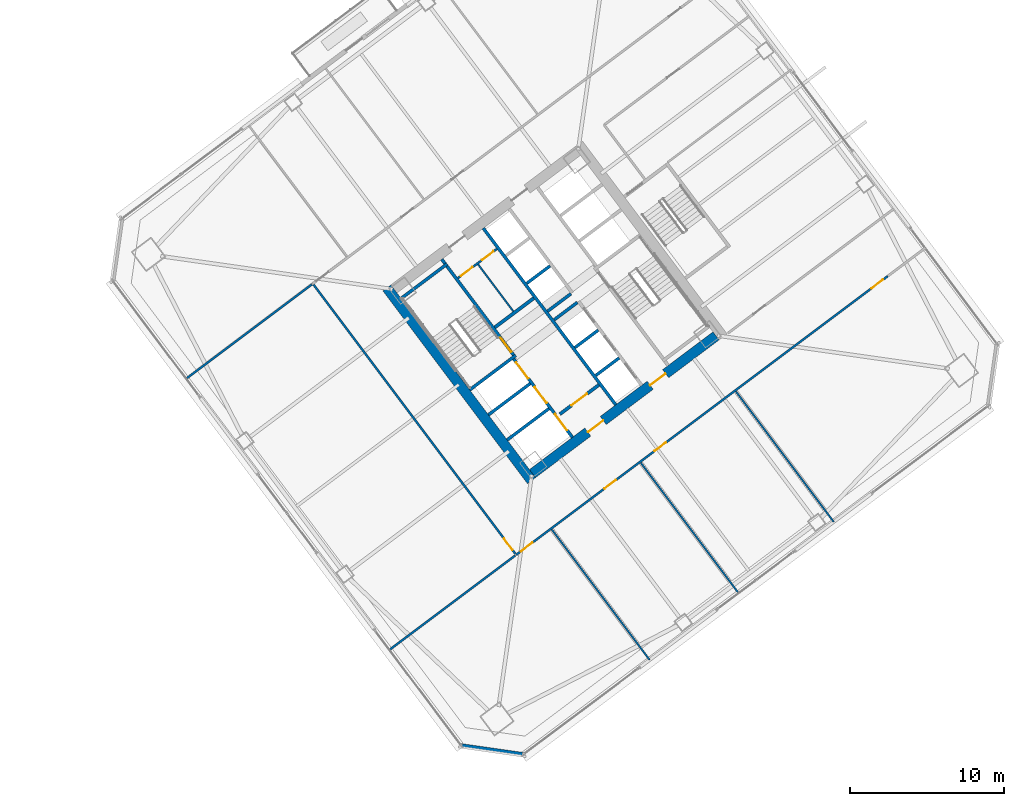
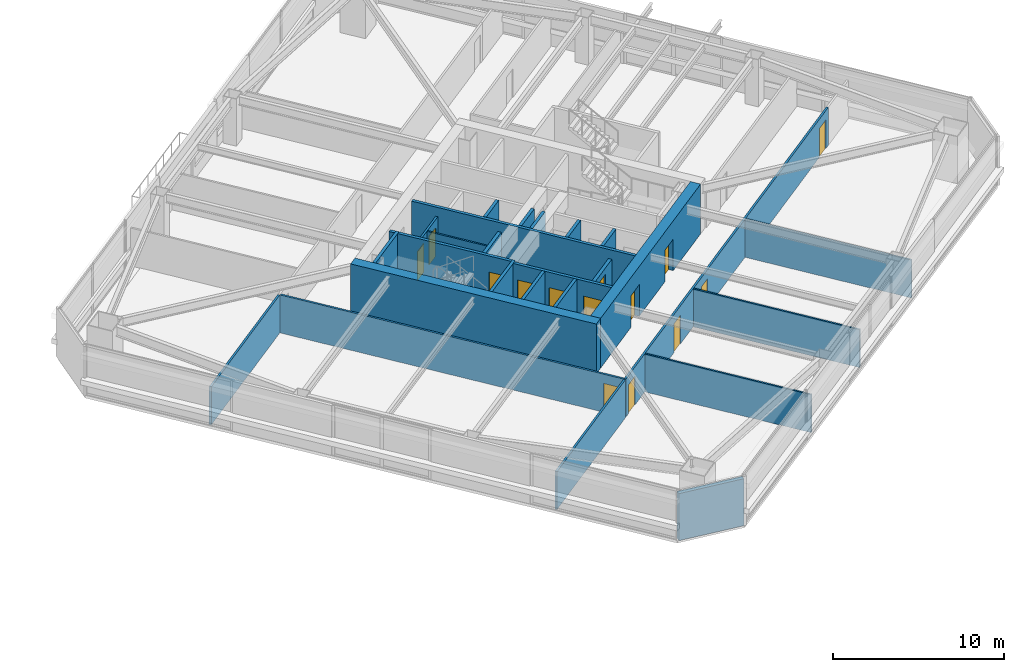
# One storey, part 36 of 46: 26 walls, 14 doors, 14 openings.
"""IFC4 building model written with IfcOpenShell, lengths in metres."""

import ifcopenshell
import ifcopenshell.guid

model = None  # the IFC model being written
_history = None  # IfcOwnerHistory: only IFC2X3 demands one
_inside = {}  # id of a spatial element -> (the spatial element, [elements in it])
_under = {}  # id of a project, library or spatial element -> (it, [spatial elements below it])
_declared = {}  # id of a project -> (the project, [libraries it declares])
_typed = {}  # id of a type object -> (the type object, [elements of that type])
_made_of = {}  # id of a material, layer set ... -> (it, [elements and type objects made of it])


def new_model(schema):
    """Start an empty IFC model of exactly this schema.

    Asked for "IFC4X3", IfcOpenShell would pick the latest addendum, in which some entities
    have other attributes; the version numbers below select the first issue.
    IFC2X3 requires an IfcOwnerHistory on every rooted entity: one is made here for all.
    """
    global model, _history
    if schema == "IFC4X3":
        model = ifcopenshell.file(schema_version=(4, 3, 0, 0))
    else:
        model = ifcopenshell.file(schema=schema)
    _inside.clear()
    _under.clear()
    _declared.clear()
    _typed.clear()
    _made_of.clear()
    _history = None
    if model.schema == "IFC2X3":
        org = make("IfcOrganization", Name="unknown")
        user = make(
            "IfcPersonAndOrganization",
            ThePerson=make("IfcPerson", FamilyName="unknown"),
            TheOrganization=org,
        )
        app = make(
            "IfcApplication",
            ApplicationDeveloper=org,
            Version="unknown",
            ApplicationFullName="unknown",
            ApplicationIdentifier="unknown",
        )
        _history = make(
            "IfcOwnerHistory",
            OwningUser=user,
            OwningApplication=app,
            ChangeAction="ADDED",
            CreationDate=0,
        )
    return model


def make(cls, **values):
    """One entity of the class cls with the attributes given. An attribute that is None is left unset."""
    return model.create_entity(
        cls, **{name: value for name, value in values.items() if value is not None}
    )


def rooted(cls, **values):
    """An entity with a GlobalId (a new one), such as an element, a storey or a relation."""
    return make(cls, GlobalId=ifcopenshell.guid.new(), OwnerHistory=_history, **values)


def si_unit(unit_type, name, prefix=None):
    """IfcSIUnit, for example si_unit("LENGTHUNIT", "METRE", prefix="MILLI")."""
    return make("IfcSIUnit", UnitType=unit_type, Prefix=prefix, Name=name)


def assignment(units):
    """IfcUnitAssignment: the units of a project."""
    return None if units is None else make("IfcUnitAssignment", Units=units)


def point(xyz):
    """IfcCartesianPoint."""
    return None if xyz is None else make("IfcCartesianPoint", Coordinates=xyz)


def direction(xyz):
    """IfcDirection."""
    return None if xyz is None else make("IfcDirection", DirectionRatios=xyz)


def frame(location, z_axis=None, x_axis=None):
    """IfcAxis2Placement3D, a coordinate frame: its origin and axes. An axis left out is left unset."""
    return make(
        "IfcAxis2Placement3D",
        Location=point(location),
        Axis=direction(z_axis),
        RefDirection=direction(x_axis),
    )


def frame_2d(location, x_axis=None):
    """IfcAxis2Placement2D, a coordinate frame in the plane: its origin and x axis."""
    return make(
        "IfcAxis2Placement2D", Location=point(location), RefDirection=direction(x_axis)
    )


def origin():
    """The frame at (0, 0, 0) with its axes left unset."""
    return frame((0.0, 0.0, 0.0))


def place(relative_to, where):
    """IfcLocalPlacement: puts the frame where relative to a parent placement (None: the world)."""
    return make(
        "IfcLocalPlacement", PlacementRelTo=relative_to, RelativePlacement=where
    )


def context(
    kind, dimensions, precision=None, world=None, true_north=None, identifier=None
):
    """IfcGeometricRepresentationContext, for example the 3D "Model" context."""
    return make(
        "IfcGeometricRepresentationContext",
        ContextIdentifier=identifier,
        ContextType=kind,
        CoordinateSpaceDimension=dimensions,
        Precision=precision,
        WorldCoordinateSystem=world,
        TrueNorth=true_north,
    )


def subcontext(parent, identifier, kind, view, scale=None):
    """IfcGeometricRepresentationSubContext, for example "Body" below "Model"."""
    return make(
        "IfcGeometricRepresentationSubContext",
        ContextIdentifier=identifier,
        ContextType=kind,
        ParentContext=parent,
        TargetScale=scale,
        TargetView=view,
    )


def project(units=None, contexts=None):
    """IfcProject with its units and contexts."""
    return rooted(
        "IfcProject",
        Name="project",
        RepresentationContexts=contexts,
        UnitsInContext=assignment(units),
    )


def spatial(cls, under=None, at=None, **own):
    """A site, building, storey or space (cls), placed at a placement, below another one or the project."""
    s = rooted(cls, ObjectPlacement=at, **own)
    if under is not None:
        _under.setdefault(under.id(), (under, []))[1].append(s)
    return s


def profile(cls, at=None, kind="AREA", **sizes):
    """A parametric profile (cls). Its sizes go by their IFC names, for example OverallWidth=200.0."""
    return make(cls, ProfileType=kind, Position=at, **sizes)


def rectangle(**sizes):
    """IfcRectangleProfileDef."""
    return profile("IfcRectangleProfileDef", **sizes)


def extrude(swept, where, along, depth):
    """IfcExtrudedAreaSolid: the profile swept, set in the frame where, extruded along a direction by depth."""
    return make(
        "IfcExtrudedAreaSolid",
        SweptArea=swept,
        Position=where,
        ExtrudedDirection=direction(along),
        Depth=depth,
    )


def shape(context_of_items, identifier, shape_type, items):
    """IfcShapeRepresentation: the items that make up one representation, for example the "Body"."""
    return make(
        "IfcShapeRepresentation",
        ContextOfItems=context_of_items,
        RepresentationIdentifier=identifier,
        RepresentationType=shape_type,
        Items=items,
    )


def material(Name=None, Category=None):
    """IfcMaterial."""
    return make("IfcMaterial", Name=Name, Category=Category)


def layer(
    of_material, thickness, ventilated=None, Name=None, Category=None, Priority=None
):
    """IfcMaterialLayer: one layer of a wall or slab, of a material (None: an air gap)."""
    return make(
        "IfcMaterialLayer",
        Material=of_material,
        LayerThickness=thickness,
        IsVentilated=ventilated,
        Name=Name,
        Category=Category,
        Priority=Priority,
    )


def layer_set(layers, Name=None):
    """IfcMaterialLayerSet."""
    return make("IfcMaterialLayerSet", MaterialLayers=layers, LayerSetName=Name)


def made_of(thing, what):
    """Note that an element or type object is made of a material, layer set ...; save() writes the relation."""
    if what is not None:
        _made_of.setdefault(what.id(), (what, []))[1].append(thing)
    return thing


def type_object(cls, material=None, **own):
    """A type object (cls), such as IfcWallType, which elements share."""
    return made_of(rooted(cls, **own), material)


def element(
    cls,
    number,
    at=None,
    inside=None,
    cuts=None,
    type_object=None,
    material=None,
    context=None,
    identifier="Body",
    shape_type=None,
    held_by="IfcProductDefinitionShape",
    body=None,
    shapes=None,
    **own,
):
    """One element of the class cls, such as IfcWall. Its Tag is "e" and its number.

    at: its placement. inside: the storey or other place that contains it. cuts: it is an
    opening in that element (IfcRelVoidsElement). A single representation is given by context,
    identifier, shape_type and body (its items); several are given by shapes. held_by: the class
    of the entity that holds the representations. save() writes the other relations.
    """
    e = rooted(cls, Tag="e%d" % number, ObjectPlacement=at, **own)
    if body is not None:
        shapes = [shape(context, identifier, shape_type, body)]
    if shapes is not None:
        e.Representation = make(held_by, Representations=shapes)
    if inside is not None:
        _inside.setdefault(inside.id(), (inside, []))[1].append(e)
    if cuts is not None:
        rooted(
            "IfcRelVoidsElement", RelatingBuildingElement=cuts, RelatedOpeningElement=e
        )
    if type_object is not None:
        _typed.setdefault(type_object.id(), (type_object, []))[1].append(e)
    return made_of(e, material)


def fill(opening, filler):
    """IfcRelFillsElement: the door or window that sits in an opening."""
    return rooted(
        "IfcRelFillsElement",
        RelatingOpeningElement=opening,
        RelatedBuildingElement=filler,
    )


def aggregate(whole, parts):
    """IfcRelAggregates: a whole, such as a stair, and the parts it consists of."""
    return rooted("IfcRelAggregates", RelatingObject=whole, RelatedObjects=parts)


def save(model, path):
    """Write the relations noted so far, then the file.

    IfcRelAggregates (storeys below a building ...), IfcRelContainedInSpatialStructure (elements
    in a storey), IfcRelDefinesByType, IfcRelAssociatesMaterial and IfcRelDeclares: one each for
    every whole, place, type object, material and project.
    """
    for whole, parts in _under.values():
        aggregate(whole, parts)
    for where, things in _inside.values():
        rooted(
            "IfcRelContainedInSpatialStructure",
            RelatedElements=things,
            RelatingStructure=where,
        )
    for kind, things in _typed.values():
        rooted("IfcRelDefinesByType", RelatedObjects=things, RelatingType=kind)
    for what, things in _made_of.values():
        rooted("IfcRelAssociatesMaterial", RelatedObjects=things, RelatingMaterial=what)
    for by, libraries in _declared.values():
        rooted("IfcRelDeclares", RelatingContext=by, RelatedDefinitions=libraries)
    model.write(path)


model = new_model("IFC4")

# Units and contexts
model_context = context("Model", 3, precision=1e-05, world=origin(), true_north=direction((0.0, 1.0)))
body_context = subcontext(model_context, "Body", "Model", "MODEL_VIEW")
ifc_project = project(units=[si_unit("LENGTHUNIT", "METRE"), si_unit("AREAUNIT", "SQUARE_METRE"), si_unit("VOLUMEUNIT", "CUBIC_METRE"), si_unit("PLANEANGLEUNIT", "RADIAN"), si_unit("MASSUNIT", "GRAM", prefix="KILO")], contexts=[model_context])

# Site, building, storey
site_placement = place(None, origin())
site = spatial("IfcSite", under=ifc_project, at=site_placement, CompositionType="ELEMENT")
building_placement = place(site_placement, origin())
building = spatial("IfcBuilding", under=site, at=building_placement, Name="Tashvorn Skyway Center", CompositionType="ELEMENT")
storey_placement = place(building_placement, frame((0.0, 0.0, 38.800048828125)))
storey = spatial("IfcBuildingStorey", under=building, at=storey_placement, Name="L09", CompositionType="ELEMENT", Elevation=38.800048828125)

# Wall
ifc_material_1 = material(Name="Concrete C60/75", Category="concrete")
ifc_layer_1 = layer(ifc_material_1, 0.64990234375)
ifc_layer_set_1 = layer_set([ifc_layer_1], Name="Concrete C60/75")
wall_type_1 = type_object("IfcWallType", Name="WALL-CORE-650", PredefinedType="SHEAR", material=ifc_layer_set_1)
wall_1_placement = place(storey_placement, frame((112.47607421875, 21.10693359375, 0.0), z_axis=(0.0, 0.0, 1.0), x_axis=(-0.600005007985, 0.799996243986, 0.0)))
element("IfcWall", 1, at=wall_1_placement, inside=storey, type_object=wall_type_1, Name="Tower 2 L09 West Core Shear Wall", PredefinedType="SHEAR", context=body_context, shape_type="SweptSolid", body=[
    extrude(rectangle(XDim=15.60009765625, YDim=0.64990234375, at=frame_2d((7.800048828125, 0.0))), origin(), (0.0, 0.0, 1.0), 3.550048828125),
])

# Wall, openings, doors
wall_2_placement = place(storey_placement, frame((124.428955078125, 30.47802734375, 0.0), z_axis=(0.0, 0.0, 1.0), x_axis=(-0.799998028465, -0.600002628705, 0.0)))
wall_2 = element("IfcWall", 2, at=wall_2_placement, inside=storey, type_object=wall_type_1, Name="Tower 2 L09 South Core Shear Wall", PredefinedType="SHEAR", context=body_context, shape_type="SweptSolid", body=[
    extrude(rectangle(XDim=14.85986328125, YDim=0.64990234375, at=frame_2d((7.429931640625, 0.0))), origin(), (0.0, 0.0, 1.0), 3.550048828125),
])
opening_1_placement = place(wall_2_placement, frame((9.1298828125, 0.0, 0.0)))
opening_1 = element("IfcOpeningElement", 3, at=opening_1_placement, cuts=wall_2, Name="Opening D-FFL-1250", PredefinedType="OPENING", context=body_context, shape_type="SweptSolid", body=[
    extrude(rectangle(XDim=1.25, YDim=2.25, at=frame_2d((0.625, 1.125))), frame((0.0, 0.3349609375, 0.0), z_axis=(0.0, -1.0, 0.0), x_axis=(1.0, 0.0, 0.0)), (0.0, 0.0, 1.0), 0.669921875),
])
opening_2_placement = place(wall_2_placement, frame((4.080078125, 0.0, 0.0)))
opening_2 = element("IfcOpeningElement", 4, at=opening_2_placement, cuts=wall_2, Name="Opening D-FFL-1250", PredefinedType="OPENING", context=body_context, shape_type="SweptSolid", body=[
    extrude(rectangle(XDim=1.25, YDim=2.25, at=frame_2d((0.625, 1.125))), frame((0.0, 0.3349609375, 0.0), z_axis=(0.0, -1.0, 0.0), x_axis=(1.0, 0.0, 0.0)), (0.0, 0.0, 1.0), 0.669921875),
])
ifc_material_2 = material(Name="Hollow galvanized steel fire door assembly", Category="steel")
door_type_1 = type_object("IfcDoorType", Name="DOOR-FFL-1250", OperationType="NOTDEFINED", PredefinedType="DOOR", material=ifc_material_2)
door_1_placement = place(opening_1_placement, origin())
door_1 = element("IfcDoor", 5, at=door_1_placement, inside=storey, type_object=door_type_1, Name="Tower 2 L09 Core South Firefighting Exit Door", OperationType="SINGLE_SWING_LEFT", OverallHeight=2.25, OverallWidth=1.25, PredefinedType="DOOR", context=body_context, shape_type="SweptSolid", body=[
    extrude(rectangle(XDim=1.25, YDim=2.25, at=frame_2d((0.625, 1.125))), frame((0.0, 0.02490234375, 0.0), z_axis=(0.0, -1.0, 0.0), x_axis=(1.0, 0.0, 0.0)), (0.0, 0.0, 1.0), 0.050048828125),
])
fill(opening_1, door_1)
door_2_placement = place(opening_2_placement, origin())
door_2 = element("IfcDoor", 6, at=door_2_placement, inside=storey, type_object=door_type_1, Name="Tower 2 L09 Core South Lift Lobby Door", OperationType="SINGLE_SWING_RIGHT", OverallHeight=2.25, OverallWidth=1.25, PredefinedType="DOOR", context=body_context, shape_type="SweptSolid", body=[
    extrude(rectangle(XDim=1.25, YDim=2.25, at=frame_2d((0.625, 1.125))), frame((0.0, 0.02490234375, 0.0), z_axis=(0.0, -1.0, 0.0), x_axis=(1.0, 0.0, 0.0)), (0.0, 0.0, 1.0), 0.050048828125),
])
fill(opening_2, door_2)

# Walls
ifc_material_3 = material(Name="Precast concrete C40/50", Category="concrete")
ifc_layer_2 = layer(ifc_material_3, 0.280029296875)
ifc_layer_set_2 = layer_set([ifc_layer_2], Name="Precast concrete C40/50")
wall_type_2 = type_object("IfcWallType", Name="WALL-EXT-280", PredefinedType="SOLIDWALL", material=ifc_layer_set_2)
wall_3_placement = place(storey_placement, frame((111.97998046875, 3.360107421875, 0.0), z_axis=(0.0, 0.0, 1.0), x_axis=(-0.989955445613, 0.14137968631, 0.0)))
element("IfcWall", 7, at=wall_3_placement, inside=storey, type_object=wall_type_2, Name="Tower 2 L09 SW Precast Chamfer Wall", PredefinedType="SOLIDWALL", context=body_context, shape_type="SweptSolid", body=[
    extrude(rectangle(XDim=4.101318359375, YDim=0.280029296875, at=frame_2d((2.05078125, 0.0))), origin(), (0.0, 0.0, 1.0), 3.349853515625),
])
ifc_material_4 = material(Name="Concrete C40/50", Category="concrete")
ifc_layer_3 = layer(ifc_material_4, 0.219970703125)
ifc_layer_set_3 = layer_set([ifc_layer_3], Name="Concrete C40/50")
wall_type_3 = type_object("IfcWallType", Name="WALL-FFL-220", PredefinedType="SOLIDWALL", material=ifc_layer_set_3)
wall_4_placement = place(storey_placement, frame((110.10400390625, 31.028076171875, 0.0), z_axis=(0.0, 0.0, 1.0), x_axis=(0.800018601094, 0.59997519774, 0.0)))
element("IfcWall", 8, at=wall_4_placement, inside=storey, type_object=wall_type_3, Name="Tower 2 L09 Firefighting Lobby North Wall", PredefinedType="SOLIDWALL", context=body_context, shape_type="SweptSolid", body=[
    extrude(rectangle(XDim=3.14990234375, YDim=0.219970703125, at=frame_2d((1.574951171875, 0.0))), origin(), (0.0, 0.0, 1.0), 2.702880859375),
])

# Wall, opening, door
wall_5_placement = place(storey_placement, frame((114.31591796875, 25.412109375, 0.0), z_axis=(0.0, 0.0, 1.0), x_axis=(0.800018601094, 0.59997519774, 0.0)))
wall_5 = element("IfcWall", 9, at=wall_5_placement, inside=storey, type_object=wall_type_3, Name="Tower 2 L09 Firefighting Lobby South Wall", PredefinedType="SOLIDWALL", context=body_context, shape_type="SweptSolid", body=[
    extrude(rectangle(XDim=3.14990234375, YDim=0.219970703125, at=frame_2d((1.574951171875, 0.0))), origin(), (0.0, 0.0, 1.0), 2.702880859375),
])
opening_3_placement = place(wall_5_placement, frame((0.949951171875, 0.0, 0.0)))
opening_3 = element("IfcOpeningElement", 10, at=opening_3_placement, cuts=wall_5, Name="Opening D-FFL-1250", PredefinedType="OPENING", context=body_context, shape_type="SweptSolid", body=[
    extrude(rectangle(XDim=1.25, YDim=2.25, at=frame_2d((0.625, 1.125))), frame((0.0, 0.119873046875, 0.0), z_axis=(0.0, -1.0, 0.0), x_axis=(1.0, 0.0, 0.0)), (0.0, 0.0, 1.0), 0.239990234375),
])
door_3_placement = place(opening_3_placement, origin())
door_3 = element("IfcDoor", 11, at=door_3_placement, inside=storey, type_object=door_type_1, Name="Tower 2 L09 Firefighting Lobby Egress Door", OperationType="SINGLE_SWING_LEFT", OverallHeight=2.25, OverallWidth=1.25, PredefinedType="DOOR", context=body_context, shape_type="SweptSolid", body=[
    extrude(rectangle(XDim=1.25, YDim=2.25, at=frame_2d((0.625, 1.125))), frame((0.0, 0.02490234375, 0.0), z_axis=(0.0, -1.0, 0.0), x_axis=(1.0, 0.0, 0.0)), (0.0, 0.0, 1.0), 0.050048828125),
])
fill(opening_3, door_3)

# Walls
ifc_material_5 = material(Name="Gypsum board on cold-formed steel stud framing", Category="steel")
ifc_layer_4 = layer(ifc_material_5, 0.110107421875)
ifc_layer_set_4 = layer_set([ifc_layer_4], Name="Gypsum board on cold-formed steel stud framing")
wall_type_4 = type_object("IfcWallType", Name="WALL-PART-110", PredefinedType="PARTITIONING", material=ifc_layer_set_4)
wall_6_placement = place(storey_placement, frame((120.1279296875, 9.49609375, 0.0), z_axis=(0.0, 0.0, 1.0), x_axis=(-0.599992594658, 0.800005553953, 0.0)))
element("IfcWall", 12, at=wall_6_placement, inside=storey, type_object=wall_type_4, Name="Tower 2 L09 South Suite Partition 1", PredefinedType="PARTITIONING", context=body_context, shape_type="SweptSolid", body=[
    extrude(rectangle(XDim=10.5498046875, YDim=0.110107421875, at=frame_2d((5.27490234375, 0.0))), origin(), (0.0, 0.0, 1.0), 2.702880859375),
])
for number, where, z_axis, x_axis, name in (
    (13, (125.887939453125, 13.81591796875, 0.0), (0.0, 0.0, 1.0), (-0.599981486892, 0.800013884496, 0.0), "Tower 2 L09 South Suite Partition 2"),
    (14, (132.048095703125, 18.43603515625, 0.0), (0.0, 0.0, 1.0), (-0.600007405188, 0.799994446056, 0.0), "Tower 2 L09 South Suite Partition 3"),
):
    element("IfcWall", number, at=place(storey_placement, frame(where, z_axis=z_axis, x_axis=x_axis)), inside=storey, type_object=wall_type_4, Name=name, PredefinedType="PARTITIONING", context=body_context, shape_type="SweptSolid", body=[
        extrude(rectangle(XDim=10.550048828125, YDim=0.110107421875, at=frame_2d((5.27490234375, 0.0))), origin(), (0.0, 0.0, 1.0), 2.702880859375),
    ])

# Wall, openings, doors
ifc_layer_5 = layer(ifc_material_5, 0.135009765625)
ifc_layer_set_5 = layer_set([ifc_layer_5], Name="Gypsum board on cold-formed steel stud framing")
wall_type_5 = type_object("IfcWallType", Name="WALL-PART-135", PredefinedType="PARTITIONING", material=ifc_layer_set_5)
wall_7_placement = place(storey_placement, frame((135.550048828125, 34.35009765625, 0.0), z_axis=(0.0, 0.0, 1.0), x_axis=(-0.799998052067, -0.600002597235, 0.0)))
wall_7 = element("IfcWall", 15, at=wall_7_placement, inside=storey, type_object=wall_type_5, Name="Tower 2 L09 South Suite Wall", PredefinedType="PARTITIONING", context=body_context, shape_type="SweptSolid", body=[
    extrude(rectangle(XDim=30.080078125, YDim=0.135009765625, at=frame_2d((15.0400390625, 0.0))), origin(), (0.0, 0.0, 1.0), 2.702880859375),
])
opening_4_placement = place(wall_7_placement, frame((28.75, 0.0, 0.0)))
opening_4 = element("IfcOpeningElement", 16, at=opening_4_placement, cuts=wall_7, Name="Opening D-INT-950", PredefinedType="OPENING", context=body_context, shape_type="SweptSolid", body=[
    extrude(rectangle(XDim=0.949951171875, YDim=2.050048828125, at=frame_2d((0.47509765625, 1.02490234375))), frame((0.0, 0.077392578125, 0.0), z_axis=(0.0, -1.0, 0.0), x_axis=(1.0, 0.0, 0.0)), (0.0, 0.0, 1.0), 0.155029296875),
])
opening_5_placement = place(wall_7_placement, frame((21.99853515625, 0.0, 0.0)))
opening_5 = element("IfcOpeningElement", 17, at=opening_5_placement, cuts=wall_7, Name="Opening D-INT-950", PredefinedType="OPENING", context=body_context, shape_type="SweptSolid", body=[
    extrude(rectangle(XDim=0.949951171875, YDim=2.050048828125, at=frame_2d((0.47509765625, 1.02490234375))), frame((0.0, 0.077392578125, 0.0), z_axis=(0.0, -1.0, 0.0), x_axis=(1.0, 0.0, 0.0)), (0.0, 0.0, 1.0), 0.155029296875),
])
opening_6_placement = place(wall_7_placement, frame((17.938720703125, 0.0, 0.0)))
opening_6 = element("IfcOpeningElement", 18, at=opening_6_placement, cuts=wall_7, Name="Opening D-INT-950", PredefinedType="OPENING", context=body_context, shape_type="SweptSolid", body=[
    extrude(rectangle(XDim=0.949951171875, YDim=2.050048828125, at=frame_2d((0.47509765625, 1.02490234375))), frame((0.0, 0.077392578125, 0.0), z_axis=(0.0, -1.0, 0.0), x_axis=(1.0, 0.0, 0.0)), (0.0, 0.0, 1.0), 0.155029296875),
])
opening_7_placement = place(wall_7_placement, frame((0.3798828125, 0.0, 0.0)))
opening_7 = element("IfcOpeningElement", 19, at=opening_7_placement, cuts=wall_7, Name="Opening D-INT-950", PredefinedType="OPENING", context=body_context, shape_type="SweptSolid", body=[
    extrude(rectangle(XDim=0.949951171875, YDim=2.050048828125, at=frame_2d((0.47509765625, 1.02490234375))), frame((0.0, 0.077392578125, 0.0), z_axis=(0.0, -1.0, 0.0), x_axis=(1.0, 0.0, 0.0)), (0.0, 0.0, 1.0), 0.155029296875),
])
ifc_material_6 = material(Name="Solid-core architectural oak veneer door")
door_type_2 = type_object("IfcDoorType", Name="DOOR-INT-950", OperationType="NOTDEFINED", PredefinedType="DOOR", material=ifc_material_6)
door_4_placement = place(opening_4_placement, origin())
door_4 = element("IfcDoor", 20, at=door_4_placement, inside=storey, type_object=door_type_2, Name="Tower 2 L09 Conference Room Door", OperationType="SINGLE_SWING_LEFT", OverallHeight=2.050048828125, OverallWidth=0.949951171875, PredefinedType="DOOR", context=body_context, shape_type="SweptSolid", body=[
    extrude(rectangle(XDim=0.949951171875, YDim=2.050048828125, at=frame_2d((0.47509765625, 1.02490234375))), frame((0.0, 0.02490234375, 0.0), z_axis=(0.0, -1.0, 0.0), x_axis=(1.0, 0.0, 0.0)), (0.0, 0.0, 1.0), 0.050048828125),
])
fill(opening_4, door_4)
door_5_placement = place(opening_5_placement, origin())
door_5 = element("IfcDoor", 21, at=door_5_placement, inside=storey, type_object=door_type_2, Name="Tower 2 L09 Staff Fitness Club Door", OperationType="SINGLE_SWING_RIGHT", OverallHeight=2.050048828125, OverallWidth=0.949951171875, PredefinedType="DOOR", context=body_context, shape_type="SweptSolid", body=[
    extrude(rectangle(XDim=0.949951171875, YDim=2.050048828125, at=frame_2d((0.47509765625, 1.02490234375))), frame((0.0, 0.02490234375, 0.0), z_axis=(0.0, -1.0, 0.0), x_axis=(1.0, 0.0, 0.0)), (0.0, 0.0, 1.0), 0.050048828125),
])
fill(opening_5, door_5)
door_6_placement = place(opening_6_placement, origin())
door_6 = element("IfcDoor", 22, at=door_6_placement, inside=storey, type_object=door_type_2, Name="Tower 2 L09 Staff Fitness Club Door", OperationType="SINGLE_SWING_LEFT", OverallHeight=2.050048828125, OverallWidth=0.949951171875, PredefinedType="DOOR", context=body_context, shape_type="SweptSolid", body=[
    extrude(rectangle(XDim=0.949951171875, YDim=2.050048828125, at=frame_2d((0.47509765625, 1.02490234375))), frame((0.0, 0.02490234375, 0.0), z_axis=(0.0, -1.0, 0.0), x_axis=(1.0, 0.0, 0.0)), (0.0, 0.0, 1.0), 0.050048828125),
])
fill(opening_6, door_6)
door_7_placement = place(opening_7_placement, origin())
door_7 = element("IfcDoor", 23, at=door_7_placement, inside=storey, type_object=door_type_2, Name="Tower 2 L09 Catering Pantry Door", OperationType="SINGLE_SWING_RIGHT", OverallHeight=2.050048828125, OverallWidth=0.949951171875, PredefinedType="DOOR", context=body_context, shape_type="SweptSolid", body=[
    extrude(rectangle(XDim=0.949951171875, YDim=2.050048828125, at=frame_2d((0.47509765625, 1.02490234375))), frame((0.0, 0.02490234375, 0.0), z_axis=(0.0, -1.0, 0.0), x_axis=(1.0, 0.0, 0.0)), (0.0, 0.0, 1.0), 0.050048828125),
])
fill(opening_7, door_7)

# Wall, opening, door
wall_8_placement = place(storey_placement, frame((111.43798828125, 16.365966796875, 0.0), z_axis=(0.0, 0.0, 1.0), x_axis=(-0.599996414648, 0.800002689001, 0.0)))
wall_8 = element("IfcWall", 24, at=wall_8_placement, inside=storey, type_object=wall_type_5, Name="Tower 2 L09 West Inner Suite Wall", PredefinedType="PARTITIONING", context=body_context, shape_type="SweptSolid", body=[
    extrude(rectangle(XDim=21.7900390625, YDim=0.135009765625, at=frame_2d((10.89501953125, 0.0))), origin(), (0.0, 0.0, 1.0), 2.702880859375),
])
opening_8_placement = place(wall_8_placement, frame((0.300048828125, 0.0, 0.0)))
opening_8 = element("IfcOpeningElement", 25, at=opening_8_placement, cuts=wall_8, Name="Opening D-INT-950", PredefinedType="OPENING", context=body_context, shape_type="SweptSolid", body=[
    extrude(rectangle(XDim=0.949951171875, YDim=2.050048828125, at=frame_2d((0.47509765625, 1.02490234375))), frame((0.0, 0.077392578125, 0.0), z_axis=(0.0, -1.0, 0.0), x_axis=(1.0, 0.0, 0.0)), (0.0, 0.0, 1.0), 0.155029296875),
])
door_8_placement = place(opening_8_placement, origin())
door_8 = element("IfcDoor", 26, at=door_8_placement, inside=storey, type_object=door_type_2, Name="Tower 2 L09 Catering Pantry Door", OperationType="SINGLE_SWING_LEFT", OverallHeight=2.050048828125, OverallWidth=0.949951171875, PredefinedType="DOOR", context=body_context, shape_type="SweptSolid", body=[
    extrude(rectangle(XDim=0.949951171875, YDim=2.050048828125, at=frame_2d((0.47509765625, 1.02490234375))), frame((0.0, 0.02490234375, 0.0), z_axis=(0.0, -1.0, 0.0), x_axis=(1.0, 0.0, 0.0)), (0.0, 0.0, 1.0), 0.050048828125),
])
fill(opening_8, door_8)

# Walls
wall_9_placement = place(storey_placement, frame((98.251953125, 33.81396484375, 0.0), z_axis=(0.0, 0.0, 1.0), x_axis=(-0.799997119281, -0.600003840939, 0.0)))
element("IfcWall", 27, at=wall_9_placement, inside=storey, type_object=wall_type_5, Name="Tower 2 L09 West Suite North Wall", PredefinedType="PARTITIONING", context=body_context, shape_type="SweptSolid", body=[
    extrude(rectangle(XDim=10.169921875, YDim=0.135009765625, at=frame_2d((5.0849609375, 0.0))), origin(), (0.0, 0.0, 1.0), 2.702880859375),
])
wall_10_placement = place(storey_placement, frame((103.285888671875, 10.152099609375, 0.0), z_axis=(0.0, 0.0, 1.0), x_axis=(0.800017283844, 0.599976954183, 0.0)))
element("IfcWall", 28, at=wall_10_placement, inside=storey, type_object=wall_type_5, Name="Tower 2 L09 West Suite South Wall", PredefinedType="PARTITIONING", context=body_context, shape_type="SweptSolid", body=[
    extrude(rectangle(XDim=10.170166015625, YDim=0.135009765625, at=frame_2d((5.0849609375, 0.0))), origin(), (0.0, 0.0, 1.0), 2.702880859375),
])
ifc_layer_6 = layer(ifc_material_5, 0.110107421875)
ifc_layer_set_6 = layer_set([ifc_layer_6], Name="Gypsum board on cold-formed steel stud framing")
wall_type_6 = type_object("IfcWallType", Name="WALL-RATED-110", PredefinedType="PARTITIONING", material=ifc_layer_set_6)
wall_11_placement = place(storey_placement, frame((111.2958984375, 32.072021484375, 0.0), z_axis=(0.0, 0.0, 1.0), x_axis=(-0.59995887973, 0.800030838552, 0.0)))
element("IfcWall", 29, at=wall_11_placement, inside=storey, type_object=wall_type_6, Name="Tower 2 L09 Core Split Partition", PredefinedType="PARTITIONING", context=body_context, shape_type="SweptSolid", body=[
    extrude(rectangle(XDim=3.7998046875, YDim=0.110107421875, at=frame_2d((1.89990234375, 0.0))), origin(), (0.0, 0.0, 1.0), 2.702880859375),
])

# Wall, openings, doors
ifc_layer_7 = layer(ifc_material_5, 0.135009765625)
ifc_layer_set_7 = layer_set([ifc_layer_7], Name="Gypsum board on cold-formed steel stud framing")
wall_type_7 = type_object("IfcWallType", Name="WALL-RATED-135", PredefinedType="PARTITIONING", material=ifc_layer_set_7)
wall_12_placement = place(storey_placement, frame((107.7099609375, 34.219970703125, 0.0), z_axis=(0.0, 0.0, 1.0), x_axis=(0.799981399002, 0.60002480053, 0.0)))
wall_12 = element("IfcWall", 30, at=wall_12_placement, inside=storey, type_object=wall_type_7, Name="Tower 2 L09 Core Service Lobby Wall", PredefinedType="PARTITIONING", context=body_context, shape_type="SweptSolid", body=[
    extrude(rectangle(XDim=3.150146484375, YDim=0.135009765625, at=frame_2d((1.5751953125, 0.0))), origin(), (0.0, 0.0, 1.0), 2.702880859375),
])
opening_9_placement = place(wall_12_placement, frame((0.25, 0.0, 0.0)))
opening_9 = element("IfcOpeningElement", 31, at=opening_9_placement, cuts=wall_12, Name="Opening D-RT-950", PredefinedType="OPENING", context=body_context, shape_type="SweptSolid", body=[
    extrude(rectangle(XDim=0.949951171875, YDim=2.050048828125, at=frame_2d((0.47509765625, 1.02490234375))), frame((0.0, 0.077392578125, 0.0), z_axis=(0.0, -1.0, 0.0), x_axis=(1.0, 0.0, 0.0)), (0.0, 0.0, 1.0), 0.155029296875),
])
opening_10_placement = place(wall_12_placement, frame((1.949951171875, 0.0, 0.0)))
opening_10 = element("IfcOpeningElement", 32, at=opening_10_placement, cuts=wall_12, Name="Opening D-RT-950", PredefinedType="OPENING", context=body_context, shape_type="SweptSolid", body=[
    extrude(rectangle(XDim=0.949951171875, YDim=2.050048828125, at=frame_2d((0.47509765625, 1.02490234375))), frame((0.0, 0.077392578125, 0.0), z_axis=(0.0, -1.0, 0.0), x_axis=(1.0, 0.0, 0.0)), (0.0, 0.0, 1.0), 0.155029296875),
])
door_type_3 = type_object("IfcDoorType", Name="DOOR-RATED-950", OperationType="NOTDEFINED", PredefinedType="DOOR", material=ifc_material_2)
door_9_placement = place(opening_9_placement, origin())
door_9 = element("IfcDoor", 33, at=door_9_placement, inside=storey, type_object=door_type_3, Name="Tower 2 L09 Core Accessible WC Door", OperationType="SINGLE_SWING_LEFT", OverallHeight=2.050048828125, OverallWidth=0.949951171875, PredefinedType="DOOR", context=body_context, shape_type="SweptSolid", body=[
    extrude(rectangle(XDim=0.949951171875, YDim=2.050048828125, at=frame_2d((0.47509765625, 1.02490234375))), frame((0.0, 0.02490234375, 0.0), z_axis=(0.0, -1.0, 0.0), x_axis=(1.0, 0.0, 0.0)), (0.0, 0.0, 1.0), 0.050048828125),
])
fill(opening_9, door_9)
door_10_placement = place(opening_10_placement, origin())
door_10 = element("IfcDoor", 34, at=door_10_placement, inside=storey, type_object=door_type_3, Name="Tower 2 L09 Core Cleaner Store Door", OperationType="SINGLE_SWING_RIGHT", OverallHeight=2.050048828125, OverallWidth=0.949951171875, PredefinedType="DOOR", context=body_context, shape_type="SweptSolid", body=[
    extrude(rectangle(XDim=0.949951171875, YDim=2.050048828125, at=frame_2d((0.47509765625, 1.02490234375))), frame((0.0, 0.02490234375, 0.0), z_axis=(0.0, -1.0, 0.0), x_axis=(1.0, 0.0, 0.0)), (0.0, 0.0, 1.0), 0.050048828125),
])
fill(opening_10, door_10)

# Walls
ifc_layer_8 = layer(ifc_material_4, 0.199951171875)
ifc_layer_set_8 = layer_set([ifc_layer_8], Name="Concrete C40/50")
wall_type_8 = type_object("IfcWallType", Name="WALL-SHAFT-200", PredefinedType="SOLIDWALL", material=ifc_layer_set_8)
for number, where, z_axis, x_axis, name in (
    (35, (110.906005859375, 23.741943359375, 0.0), (0.0, 0.0, 1.0), (0.8, 0.6, 0.0), "Tower 2 L09 FSAE Shaft Divider"),
    (36, (109.68798828125, 25.365966796875, 0.0), (0.0, 0.0, 1.0), (0.8, 0.6, 0.0), "Tower 2 L09 FSAE Shaft Divider"),
):
    element("IfcWall", number, at=place(storey_placement, frame(where, z_axis=z_axis, x_axis=x_axis)), inside=storey, type_object=wall_type_8, Name=name, PredefinedType="SOLIDWALL", context=body_context, shape_type="SweptSolid", body=[
        extrude(rectangle(XDim=3.380126953125, YDim=0.199951171875, at=frame_2d((1.68994140625, 0.0))), origin(), (0.0, 0.0, 1.0), 3.349853515625),
    ])
wall_13_placement = place(storey_placement, frame((116.64599609375, 27.922119140625, 0.0), z_axis=(0.0, 0.0, 1.0), x_axis=(0.8, 0.6, 0.0)))
element("IfcWall", 37, at=wall_13_placement, inside=storey, type_object=wall_type_8, Name="Tower 2 L09 Low-Rise Shaft Divider", PredefinedType="SOLIDWALL", context=body_context, shape_type="SweptSolid", body=[
    extrude(rectangle(XDim=1.8798828125, YDim=0.199951171875, at=frame_2d((0.93994140625, 0.0))), origin(), (0.0, 0.0, 1.0), 3.349853515625),
])
wall_14_placement = place(storey_placement, frame((115.2958984375, 29.721923828125, 0.0), z_axis=(0.0, 0.0, 1.0), x_axis=(0.799984418148, 0.600020775241, 0.0)))
element("IfcWall", 38, at=wall_14_placement, inside=storey, type_object=wall_type_8, Name="Tower 2 L09 Low-Rise Shaft Divider", PredefinedType="SOLIDWALL", context=body_context, shape_type="SweptSolid", body=[
    extrude(rectangle(XDim=1.880126953125, YDim=0.199951171875, at=frame_2d((0.93994140625, 0.0))), origin(), (0.0, 0.0, 1.0), 3.349853515625),
])
wall_15_placement = place(storey_placement, frame((113.946044921875, 31.52197265625, 0.0), z_axis=(0.0, 0.0, 1.0), x_axis=(0.8, 0.6, 0.0)))
element("IfcWall", 39, at=wall_15_placement, inside=storey, type_object=wall_type_8, Name="Tower 2 L09 Low-Rise Shaft Divider", PredefinedType="SOLIDWALL", context=body_context, shape_type="SweptSolid", body=[
    extrude(rectangle(XDim=1.8798828125, YDim=0.199951171875, at=frame_2d((0.93994140625, 0.0))), origin(), (0.0, 0.0, 1.0), 3.349853515625),
])
wall_16_placement = place(storey_placement, frame((113.52587890625, 32.08203125, 0.0), z_axis=(0.0, 0.0, 1.0), x_axis=(0.800046745961, 0.599937666993, 0.0)))
element("IfcWall", 40, at=wall_16_placement, inside=storey, type_object=wall_type_8, Name="Tower 2 L09 Mid-Rise Shaft Divider", PredefinedType="SOLIDWALL", context=body_context, shape_type="SweptSolid", body=[
    extrude(rectangle(XDim=1.880126953125, YDim=0.199951171875, at=frame_2d((0.93994140625, 0.0))), origin(), (0.0, 0.0, 1.0), 3.349853515625),
])
wall_17_placement = place(storey_placement, frame((112.176025390625, 33.882080078125, 0.0), z_axis=(0.0, 0.0, 1.0), x_axis=(0.8, 0.6, 0.0)))
element("IfcWall", 41, at=wall_17_placement, inside=storey, type_object=wall_type_8, Name="Tower 2 L09 Mid-Rise Shaft Divider", PredefinedType="SOLIDWALL", context=body_context, shape_type="SweptSolid", body=[
    extrude(rectangle(XDim=1.8798828125, YDim=0.199951171875, at=frame_2d((0.93994140625, 0.0))), origin(), (0.0, 0.0, 1.0), 3.349853515625),
])

# Wall, opening, door
ifc_layer_9 = layer(ifc_material_4, 0.199951171875)
ifc_layer_set_9 = layer_set([ifc_layer_9], Name="Concrete C40/50")
wall_type_9 = type_object("IfcWallType", Name="WALL-STSHF-200", PredefinedType="SHEAR", material=ifc_layer_set_9)
wall_18_placement = place(storey_placement, frame((111.43994140625, 29.080078125, 0.0), z_axis=(0.0, 0.0, 1.0), x_axis=(-0.600009827119, 0.799992629566, 0.0)))
wall_18 = element("IfcWall", 42, at=wall_18_placement, inside=storey, type_object=wall_type_9, Name="Tower 2 L09 Stair 1 Enclosure Wall", PredefinedType="SHEAR", context=body_context, shape_type="SweptSolid", body=[
    extrude(rectangle(XDim=7.949951171875, YDim=0.199951171875, at=frame_2d((3.97509765625, 0.0))), origin(), (0.0, 0.0, 1.0), 3.349853515625),
])
opening_11_placement = place(wall_18_placement, frame((0.449951171875, 0.0, 0.0)))
opening_11 = element("IfcOpeningElement", 43, at=opening_11_placement, cuts=wall_18, Name="Opening D-ST-1150", PredefinedType="OPENING", context=body_context, shape_type="SweptSolid", body=[
    extrude(rectangle(XDim=1.14990234375, YDim=2.199951171875, at=frame_2d((0.574951171875, 1.10009765625))), frame((0.0, 0.10986328125, 0.0), z_axis=(0.0, -1.0, 0.0), x_axis=(1.0, 0.0, 0.0)), (0.0, 0.0, 1.0), 0.219970703125),
])
door_type_4 = type_object("IfcDoorType", Name="DOOR-STAIR-1150", OperationType="NOTDEFINED", PredefinedType="DOOR", material=ifc_material_2)
door_11_placement = place(opening_11_placement, origin())
door_11 = element("IfcDoor", 44, at=door_11_placement, inside=storey, type_object=door_type_4, Name="Tower 2 L09 Exit Stair 1 Door", OperationType="SINGLE_SWING_RIGHT", OverallHeight=2.199951171875, OverallWidth=1.14990234375, PredefinedType="DOOR", context=body_context, shape_type="SweptSolid", body=[
    extrude(rectangle(XDim=1.14990234375, YDim=2.199951171875, at=frame_2d((0.574951171875, 1.10009765625))), frame((0.0, 0.02490234375, 0.0), z_axis=(0.0, -1.0, 0.0), x_axis=(1.0, 0.0, 0.0)), (0.0, 0.0, 1.0), 0.050048828125),
])
fill(opening_11, door_11)

# Walls
for number, where, z_axis, x_axis, name in (
    (45, (108.47607421875, 26.98193359375, 0.0), (0.0, 0.0, 1.0), (0.799984290658, 0.600020945218, 0.0), "Tower 2 L09 Stair 1 South Wall"),
    (46, (104.035888671875, 32.902099609375, 0.0), (0.0, 0.0, 1.0), (0.800039270442, 0.59994763584, 0.0), "Tower 2 L09 Stair 1 North Wall"),
):
    element("IfcWall", number, at=place(storey_placement, frame(where, z_axis=z_axis, x_axis=x_axis)), inside=storey, type_object=wall_type_9, Name=name, PredefinedType="SHEAR", context=body_context, shape_type="SweptSolid", body=[
        extrude(rectangle(XDim=3.72998046875, YDim=0.199951171875, at=frame_2d((1.864990234375, 0.0))), origin(), (0.0, 0.0, 1.0), 3.349853515625),
    ])
wall_19_placement = place(storey_placement, frame((117.93798828125, 26.01611328125, 0.0), z_axis=(0.0, 0.0, 1.0), x_axis=(-0.600005463273, 0.799995902516, 0.0)))
element("IfcWall", 47, at=wall_19_placement, inside=storey, type_object=wall_type_9, Name="Tower 2 L09 Firefighting Lobby East Smoke Barrier", PredefinedType="SHEAR", context=body_context, shape_type="SweptSolid", body=[
    extrude(rectangle(XDim=14.300048828125, YDim=0.199951171875, at=frame_2d((7.14990234375, 0.0))), origin(), (0.0, 0.0, 1.0), 3.349853515625),
])

# Wall, openings, doors
wall_20_placement = place(storey_placement, frame((115.1298828125, 23.909912109375, 0.0), z_axis=(0.0, 0.0, 1.0), x_axis=(-0.599975393228, 0.800018454488, 0.0)))
wall_20 = element("IfcWall", 48, at=wall_20_placement, inside=storey, type_object=wall_type_9, Name="Tower 2 L09 FSAE and Goods Shaft Front Wall", PredefinedType="SHEAR", context=body_context, shape_type="SweptSolid", body=[
    extrude(rectangle(XDim=6.349853515625, YDim=0.199951171875, at=frame_2d((3.1748046875, 0.0))), origin(), (0.0, 0.0, 1.0), 3.349853515625),
])
opening_12_placement = place(wall_20_placement, frame((4.77490234375, 0.0, 0.0)))
opening_12 = element("IfcOpeningElement", 49, at=opening_12_placement, cuts=wall_20, Name="Opening LD-FF-T2-1-L09", PredefinedType="OPENING", context=body_context, shape_type="SweptSolid", body=[
    extrude(rectangle(XDim=1.300048828125, YDim=2.25, at=frame_2d((0.64990234375, 1.125))), frame((0.0, 0.10986328125, 0.0), z_axis=(0.0, -1.0, 0.0), x_axis=(1.0, 0.0, 0.0)), (0.0, 0.0, 1.0), 0.219970703125),
])
opening_13_placement = place(wall_20_placement, frame((2.77490234375, 0.0, 0.0)))
opening_13 = element("IfcOpeningElement", 50, at=opening_13_placement, cuts=wall_20, Name="Opening LD-FF-T2-2-L09", PredefinedType="OPENING", context=body_context, shape_type="SweptSolid", body=[
    extrude(rectangle(XDim=1.300048828125, YDim=2.25, at=frame_2d((0.64990234375, 1.125))), frame((0.0, 0.10986328125, 0.0), z_axis=(0.0, -1.0, 0.0), x_axis=(1.0, 0.0, 0.0)), (0.0, 0.0, 1.0), 0.219970703125),
])
opening_14_placement = place(wall_20_placement, frame((0.574951171875, 0.0, 0.0)))
opening_14 = element("IfcOpeningElement", 51, at=opening_14_placement, cuts=wall_20, Name="Opening LD-GD-T2-1-L09", PredefinedType="OPENING", context=body_context, shape_type="SweptSolid", body=[
    extrude(rectangle(XDim=1.300048828125, YDim=2.25, at=frame_2d((0.64990234375, 1.125))), frame((0.0, 0.10986328125, 0.0), z_axis=(0.0, -1.0, 0.0), x_axis=(1.0, 0.0, 0.0)), (0.0, 0.0, 1.0), 0.219970703125),
])
ifc_material_7 = material(Name="Stainless steel heavy-duty landing door", Category="steel")
door_type_5 = type_object("IfcDoorType", Name="DOOR-LIFT-1300", OperationType="SLIDING_TO_LEFT", PredefinedType="DOOR", material=ifc_material_7)
door_12_placement = place(opening_12_placement, origin())
door_12 = element("IfcDoor", 52, at=door_12_placement, inside=storey, type_object=door_type_5, Name="Lift FF-T2-1 L09 Landing Door", OperationType="SLIDING_TO_LEFT", OverallHeight=2.25, OverallWidth=1.300048828125, PredefinedType="DOOR", context=body_context, shape_type="SweptSolid", body=[
    extrude(rectangle(XDim=1.300048828125, YDim=2.25, at=frame_2d((0.64990234375, 1.125))), frame((0.0, 0.02490234375, 0.0), z_axis=(0.0, -1.0, 0.0), x_axis=(1.0, 0.0, 0.0)), (0.0, 0.0, 1.0), 0.050048828125),
])
fill(opening_12, door_12)
door_13_placement = place(opening_13_placement, origin())
door_13 = element("IfcDoor", 53, at=door_13_placement, inside=storey, type_object=door_type_5, Name="Lift FF-T2-2 L09 Landing Door", OperationType="SLIDING_TO_LEFT", OverallHeight=2.25, OverallWidth=1.300048828125, PredefinedType="DOOR", context=body_context, shape_type="SweptSolid", body=[
    extrude(rectangle(XDim=1.300048828125, YDim=2.25, at=frame_2d((0.64990234375, 1.125))), frame((0.0, 0.02490234375, 0.0), z_axis=(0.0, -1.0, 0.0), x_axis=(1.0, 0.0, 0.0)), (0.0, 0.0, 1.0), 0.050048828125),
])
fill(opening_13, door_13)
door_14_placement = place(opening_14_placement, origin())
door_14 = element("IfcDoor", 54, at=door_14_placement, inside=storey, type_object=door_type_5, Name="Lift GD-T2-1 L09 Landing Door", OperationType="SLIDING_TO_LEFT", OverallHeight=2.25, OverallWidth=1.300048828125, PredefinedType="DOOR", context=body_context, shape_type="SweptSolid", body=[
    extrude(rectangle(XDim=1.300048828125, YDim=2.25, at=frame_2d((0.64990234375, 1.125))), frame((0.0, 0.02490234375, 0.0), z_axis=(0.0, -1.0, 0.0), x_axis=(1.0, 0.0, 0.0)), (0.0, 0.0, 1.0), 0.050048828125),
])
fill(opening_14, door_14)

save(model, "model.ifc")
